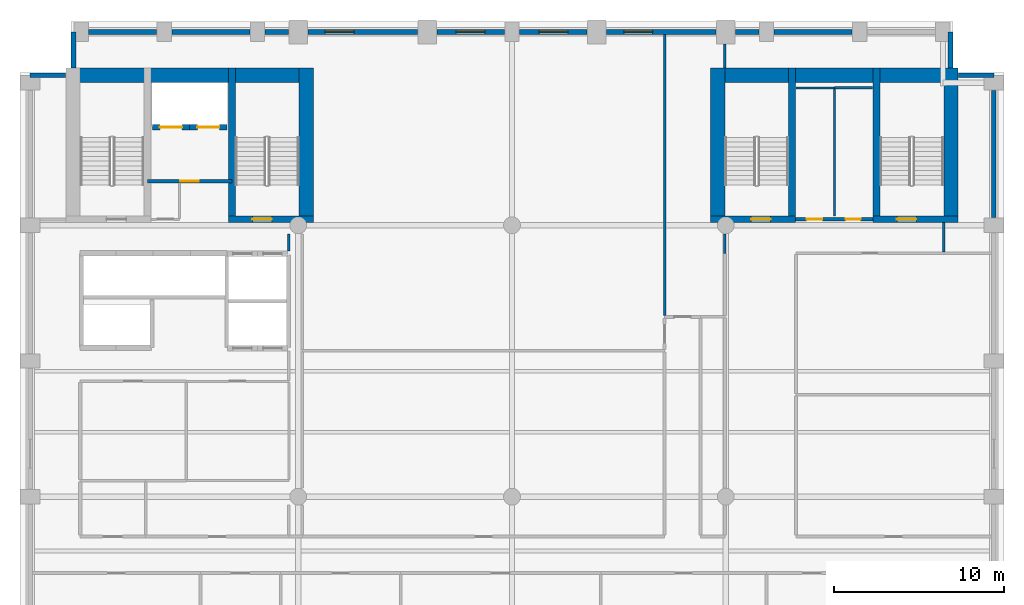
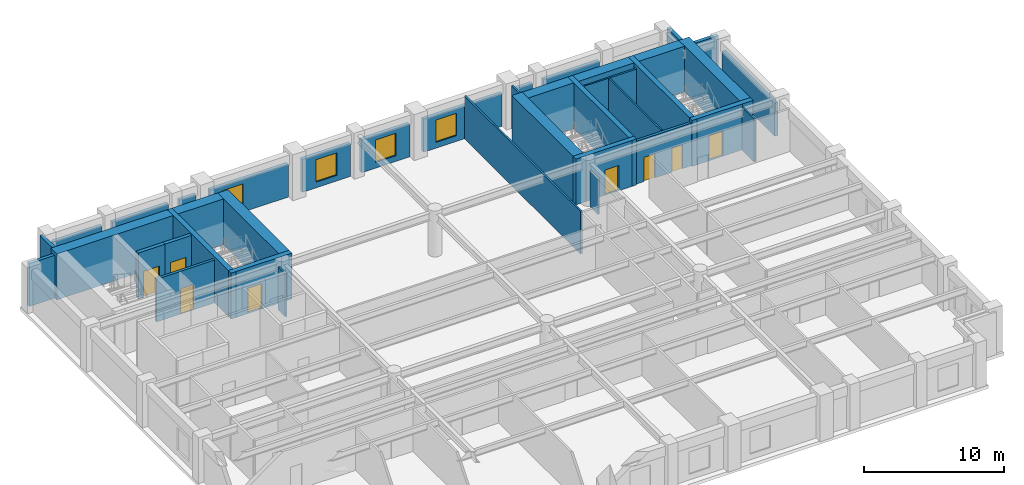
# One storey, part 5 of 9: 37 walls, 8 doors, 4 windows, 12 openings.
"""IFC4 building model written with IfcOpenShell, lengths in metres."""

from ifc_helpers import new_model, si_unit, direction, frame, frame_2d, origin, place, context, subcontext, project, spatial, rectangle, extrude, material, layer, layer_set, type_object, element, fill, save


model = new_model("IFC4")

# Units and contexts
model_context = context("Model", 3, precision=1e-05, world=origin(), true_north=direction((0.0, 1.0)))
body_context = subcontext(model_context, "Body", "Model", "MODEL_VIEW")
ifc_project = project(units=[si_unit("LENGTHUNIT", "METRE"), si_unit("AREAUNIT", "SQUARE_METRE"), si_unit("VOLUMEUNIT", "CUBIC_METRE"), si_unit("PLANEANGLEUNIT", "RADIAN"), si_unit("MASSUNIT", "GRAM", prefix="KILO")], contexts=[model_context])

# Site, building, storey
site_placement = place(None, origin())
site = spatial("IfcSite", under=ifc_project, at=site_placement, CompositionType="ELEMENT")
building_placement = place(site_placement, origin())
building = spatial("IfcBuilding", under=site, at=building_placement, Name="Sulina Concourse Tower", CompositionType="ELEMENT")
storey_placement = place(building_placement, frame((0.0, 0.0, 120.60009765625)))
storey = spatial("IfcBuildingStorey", under=building, at=storey_placement, Name="L29", CompositionType="ELEMENT", Elevation=120.60009765625)

# Wall, opening, door
ifc_material_1 = material(Name="Concrete C50/60", Category="concrete")
ifc_layer_1 = layer(ifc_material_1, 0.300048828125)
ifc_layer_set_1 = layer_set([ifc_layer_1], Name="Concrete C50/60")
wall_type_1 = type_object("IfcWallType", Name="Core Lift Hoistway Wall 300mm", PredefinedType="SOLIDWALL", material=ifc_layer_set_1)
wall_1_placement = place(storey_placement, frame((10.0, 39.780029296875, 0.0), z_axis=(0.0, 0.0, 1.0), x_axis=(-1.0, 0.0, 0.0)))
wall_1 = element("IfcWall", 1, at=wall_1_placement, inside=storey, type_object=wall_type_1, Name="L29 hoistway enclosure wall FFL-1", PredefinedType="SOLIDWALL", context=body_context, shape_type="SweptSolid", body=[
    extrude(rectangle(XDim=2.199951171875, YDim=0.300048828125, at=frame_2d((1.10009765625, 0.0))), origin(), (0.0, 0.0, 1.0), 4.0),
])
opening_1_placement = place(wall_1_placement, frame((0.449951171875, 0.0, 0.0)))
opening_1 = element("IfcOpeningElement", 2, at=opening_1_placement, cuts=wall_1, Name="Opening LD-02", PredefinedType="OPENING", context=body_context, shape_type="SweptSolid", body=[
    extrude(rectangle(XDim=1.300048828125, YDim=2.25, at=frame_2d((0.64990234375, 1.125))), frame((0.0, 0.159912109375, 0.0), z_axis=(0.0, -1.0, 0.0), x_axis=(1.0, 0.0, 0.0)), (0.0, 0.0, 1.0), 0.320068359375),
])
ifc_material_2 = material(Name="Stainless steel lift landing door", Category="steel")
ifc_layer_2 = layer(ifc_material_2, 0.050048828125)
ifc_layer_set_2 = layer_set([ifc_layer_2], Name="Stainless steel lift landing door")
door_type_1 = type_object("IfcDoorType", Name="Firefighting Lift Sliding Landing Door 1300x2250", OperationType="SLIDING_TO_RIGHT", PredefinedType="DOOR", material=ifc_layer_set_2)
door_1_placement = place(opening_1_placement, origin())
door_1 = element("IfcDoor", 3, at=door_1_placement, inside=storey, type_object=door_type_1, Name="L29 lift landing sliding door FFL-1", OperationType="SLIDING_TO_LEFT", OverallHeight=2.25, OverallWidth=1.300048828125, PredefinedType="DOOR", context=body_context, shape_type="SweptSolid", body=[
    extrude(rectangle(XDim=1.300048828125, YDim=2.25, at=frame_2d((0.64990234375, 1.125))), frame((0.0, 0.02490234375, 0.0), z_axis=(0.0, -1.0, 0.0), x_axis=(1.0, 0.0, 0.0)), (0.0, 0.0, 1.0), 0.050048828125),
])
fill(opening_1, door_1)

wall_2_placement = place(storey_placement, frame((12.199951171875, 39.780029296875, 0.0), z_axis=(0.0, 0.0, 1.0), x_axis=(-1.0, 0.0, 0.0)))
wall_2 = element("IfcWall", 4, at=wall_2_placement, inside=storey, type_object=wall_type_1, Name="L29 hoistway enclosure wall FFL-2", PredefinedType="SOLIDWALL", context=body_context, shape_type="SweptSolid", body=[
    extrude(rectangle(XDim=2.199951171875, YDim=0.300048828125, at=frame_2d((1.10009765625, 0.0))), origin(), (0.0, 0.0, 1.0), 4.0),
])
opening_2_placement = place(wall_2_placement, frame((0.449951171875, 0.0, 0.0)))
opening_2 = element("IfcOpeningElement", 5, at=opening_2_placement, cuts=wall_2, Name="Opening LD-02", PredefinedType="OPENING", context=body_context, shape_type="SweptSolid", body=[
    extrude(rectangle(XDim=1.300048828125, YDim=2.25, at=frame_2d((0.64990234375, 1.125))), frame((0.0, 0.159912109375, 0.0), z_axis=(0.0, -1.0, 0.0), x_axis=(1.0, 0.0, 0.0)), (0.0, 0.0, 1.0), 0.320068359375),
])
door_2_placement = place(opening_2_placement, origin())
door_2 = element("IfcDoor", 6, at=door_2_placement, inside=storey, type_object=door_type_1, Name="L29 lift landing sliding door FFL-2", OperationType="SLIDING_TO_RIGHT", OverallHeight=2.25, OverallWidth=1.300048828125, PredefinedType="DOOR", context=body_context, shape_type="SweptSolid", body=[
    extrude(rectangle(XDim=1.300048828125, YDim=2.25, at=frame_2d((0.64990234375, 1.125))), frame((0.0, 0.02490234375, 0.0), z_axis=(0.0, -1.0, 0.0), x_axis=(1.0, 0.0, 0.0)), (0.0, 0.0, 1.0), 0.050048828125),
])
fill(opening_2, door_2)

ifc_material_3 = material(Name="Gypsum board on steel stud", Category="steel")
ifc_layer_3 = layer(ifc_material_3, 0.219970703125)
ifc_layer_set_3 = layer_set([ifc_layer_3], Name="Gypsum board on steel stud")
wall_type_2 = type_object("IfcWallType", Name="Fire-Rated Lobby & Compartment Wall 220mm", PredefinedType="PARTITIONING", material=ifc_layer_set_3)
wall_3_placement = place(storey_placement, frame((7.510009765625, 36.60009765625, 0.0), z_axis=(0.0, 0.0, 1.0), x_axis=(1.0, 0.0, 0.0)))
wall_3 = element("IfcWall", 7, at=wall_3_placement, inside=storey, type_object=wall_type_2, Name="L29 firefighting lobby south fire wall", PredefinedType="PARTITIONING", context=body_context, shape_type="SweptSolid", body=[
    extrude(rectangle(XDim=4.97998046875, YDim=0.219970703125, at=frame_2d((2.489990234375, 0.0))), origin(), (0.0, 0.0, 1.0), 3.724853515625),
])
opening_3_placement = place(wall_3_placement, frame((1.93994140625, 0.0, 0.0)))
opening_3 = element("IfcOpeningElement", 8, at=opening_3_placement, cuts=wall_3, Name="Opening DR-47", PredefinedType="OPENING", context=body_context, shape_type="SweptSolid", body=[
    extrude(rectangle(XDim=1.10009765625, YDim=2.199951171875, at=frame_2d((0.550048828125, 1.10009765625))), frame((0.0, 0.119873046875, 0.0), z_axis=(0.0, -1.0, 0.0), x_axis=(1.0, 0.0, 0.0)), (0.0, 0.0, 1.0), 0.239990234375),
])
ifc_material_4 = material(Name="Galvanised steel acoustic fire leaf", Category="steel")
ifc_layer_4 = layer(ifc_material_4, 0.054931640625)
ifc_layer_set_4 = layer_set([ifc_layer_4], Name="Galvanised steel acoustic fire leaf")
door_type_2 = type_object("IfcDoorType", Name="Firefighting Lobby Fire Door 1100x2200", OperationType="NOTDEFINED", PredefinedType="DOOR", material=ifc_layer_set_4)
door_3_placement = place(opening_3_placement, origin())
door_3 = element("IfcDoor", 9, at=door_3_placement, inside=storey, type_object=door_type_2, Name="L29 firefighting lobby fire door", OperationType="SINGLE_SWING_RIGHT", OverallHeight=2.199951171875, OverallWidth=1.10009765625, PredefinedType="DOOR", context=body_context, shape_type="SweptSolid", body=[
    extrude(rectangle(XDim=1.10009765625, YDim=2.199951171875, at=frame_2d((0.550048828125, 1.10009765625))), frame((0.0, 0.02490234375, 0.0), z_axis=(0.0, -1.0, 0.0), x_axis=(1.0, 0.0, 0.0)), (0.0, 0.0, 1.0), 0.050048828125),
])
fill(opening_3, door_3)

# Wall, openings, doors
wall_4_placement = place(storey_placement, frame((45.719970703125, 34.35009765625, 0.0), z_axis=(0.0, 0.0, 1.0), x_axis=(1.0, 0.0, 0.0)))
wall_4 = element("IfcWall", 10, at=wall_4_placement, inside=storey, type_object=wall_type_2, Name="L29 east core south lobby wall", PredefinedType="PARTITIONING", context=body_context, shape_type="SweptSolid", body=[
    extrude(rectangle(XDim=4.56005859375, YDim=0.219970703125, at=frame_2d((2.280029296875, 0.0))), origin(), (0.0, 0.0, 1.0), 3.724853515625),
])
opening_4_placement = place(wall_4_placement, frame((0.64990234375, 0.0, 0.0)))
opening_4 = element("IfcOpeningElement", 11, at=opening_4_placement, cuts=wall_4, Name="Opening DR-61", PredefinedType="OPENING", context=body_context, shape_type="SweptSolid", body=[
    extrude(rectangle(XDim=0.919921875, YDim=2.10009765625, at=frame_2d((0.4599609375, 1.050048828125))), frame((0.0, 0.119873046875, 0.0), z_axis=(0.0, -1.0, 0.0), x_axis=(1.0, 0.0, 0.0)), (0.0, 0.0, 1.0), 0.239990234375),
])
opening_5_placement = place(wall_4_placement, frame((2.949951171875, 0.0, 0.0)))
opening_5 = element("IfcOpeningElement", 12, at=opening_5_placement, cuts=wall_4, Name="Opening DR-38", PredefinedType="OPENING", context=body_context, shape_type="SweptSolid", body=[
    extrude(rectangle(XDim=0.8798828125, YDim=2.10009765625, at=frame_2d((0.43994140625, 1.050048828125))), frame((0.0, 0.119873046875, 0.0), z_axis=(0.0, -1.0, 0.0), x_axis=(1.0, 0.0, 0.0)), (0.0, 0.0, 1.0), 0.239990234375),
])
ifc_material_5 = material(Name="Oak-veneered fire door leaf")
ifc_layer_5 = layer(ifc_material_5, 0.050048828125)
ifc_layer_set_5 = layer_set([ifc_layer_5], Name="Oak-veneered fire door leaf")
door_type_3 = type_object("IfcDoorType", Name="Accessible WC Door 920x2100", OperationType="NOTDEFINED", PredefinedType="DOOR", material=ifc_layer_set_5)
door_4_placement = place(opening_4_placement, origin())
door_4 = element("IfcDoor", 13, at=door_4_placement, inside=storey, type_object=door_type_3, Name="L29 east core accessible wc door", OperationType="SINGLE_SWING_RIGHT", OverallHeight=2.10009765625, OverallWidth=0.919921875, PredefinedType="DOOR", context=body_context, shape_type="SweptSolid", body=[
    extrude(rectangle(XDim=0.919921875, YDim=2.10009765625, at=frame_2d((0.4599609375, 1.050048828125))), frame((0.0, 0.02490234375, 0.0), z_axis=(0.0, -1.0, 0.0), x_axis=(1.0, 0.0, 0.0)), (0.0, 0.0, 1.0), 0.050048828125),
])
fill(opening_4, door_4)
ifc_material_6 = material(Name="Galvanised steel acoustic fire leaf", Category="steel")
ifc_layer_6 = layer(ifc_material_6, 0.050048828125)
ifc_layer_set_6 = layer_set([ifc_layer_6], Name="Galvanised steel acoustic fire leaf")
door_type_4 = type_object("IfcDoorType", Name="Service Riser Fire Door 880x2100", OperationType="NOTDEFINED", PredefinedType="DOOR", material=ifc_layer_set_6)
door_5_placement = place(opening_5_placement, origin())
door_5 = element("IfcDoor", 14, at=door_5_placement, inside=storey, type_object=door_type_4, Name="L29 east core store door", OperationType="SINGLE_SWING_LEFT", OverallHeight=2.10009765625, OverallWidth=0.8798828125, PredefinedType="DOOR", context=body_context, shape_type="SweptSolid", body=[
    extrude(rectangle(XDim=0.8798828125, YDim=2.10009765625, at=frame_2d((0.43994140625, 1.050048828125))), frame((0.0, 0.02490234375, 0.0), z_axis=(0.0, -1.0, 0.0), x_axis=(1.0, 0.0, 0.0)), (0.0, 0.0, 1.0), 0.050048828125),
])
fill(opening_5, door_5)

# Walls
ifc_material_7 = material(Name="Gypsum board on steel stud", Category="steel")
ifc_layer_7 = layer(ifc_material_7, 0.14990234375)
ifc_layer_set_7 = layer_set([ifc_layer_7], Name="Gypsum board on steel stud")
wall_type_3 = type_object("IfcWallType", Name="Inter-Tenancy Acoustic Partition 150mm", PredefinedType="PARTITIONING", material=ifc_layer_set_7)
wall_5_placement = place(storey_placement, frame((48.0, 42.10009765625, 0.0), z_axis=(0.0, 0.0, 1.0), x_axis=(1.0, 0.0, 0.0)))
element("IfcWall", 15, at=wall_5_placement, inside=storey, type_object=wall_type_3, Name="L29 interior partition 028", PredefinedType="PARTITIONING", context=body_context, shape_type="SweptSolid", body=[
    extrude(rectangle(XDim=2.25, YDim=0.14990234375, at=frame_2d((1.125, 0.0))), origin(), (0.0, 0.0, 1.0), 3.724853515625),
])
wall_6_placement = place(storey_placement, frame((15.85009765625, 32.469970703125, 0.0), z_axis=(0.0, 0.0, 1.0), x_axis=(0.0, 1.0, 0.0)))
element("IfcWall", 16, at=wall_6_placement, inside=storey, type_object=wall_type_3, Name="L29 interior partition 039", PredefinedType="PARTITIONING", context=body_context, shape_type="SweptSolid", body=[
    extrude(rectangle(XDim=1.030029296875, YDim=0.14990234375, at=frame_2d((0.51513671875, 0.0))), origin(), (0.0, 0.0, 1.0), 3.724853515625),
])
wall_7_placement = place(storey_placement, frame((38.0, 28.68994140625, 0.0), z_axis=(0.0, 0.0, 1.0), x_axis=(0.0, 1.0, 0.0)))
element("IfcWall", 17, at=wall_7_placement, inside=storey, type_object=wall_type_3, Name="L29 interior partition 047", PredefinedType="PARTITIONING", context=body_context, shape_type="SweptSolid", body=[
    extrude(rectangle(XDim=16.570068359375, YDim=0.14990234375, at=frame_2d((8.28515625, 0.0))), origin(), (0.0, 0.0, 1.0), 3.724853515625),
])
wall_8_placement = place(storey_placement, frame((41.550048828125, 32.35009765625, 0.0), z_axis=(0.0, 0.0, 1.0), x_axis=(0.0, 1.0, 0.0)))
element("IfcWall", 18, at=wall_8_placement, inside=storey, type_object=wall_type_3, Name="L29 interior partition 052", PredefinedType="PARTITIONING", context=body_context, shape_type="SweptSolid", body=[
    extrude(rectangle(XDim=1.14990234375, YDim=0.14990234375, at=frame_2d((0.574951171875, 0.0))), origin(), (0.0, 0.0, 1.0), 3.06982421875),
])
wall_9_placement = place(storey_placement, frame((41.550048828125, 43.280029296875, 0.0), z_axis=(0.0, 0.0, 1.0), x_axis=(0.0, 1.0, 0.0)))
element("IfcWall", 19, at=wall_9_placement, inside=storey, type_object=wall_type_3, Name="L29 interior partition 053", PredefinedType="PARTITIONING", context=body_context, shape_type="SweptSolid", body=[
    extrude(rectangle(XDim=1.419921875, YDim=0.14990234375, at=frame_2d((0.7099609375, 0.0))), origin(), (0.0, 0.0, 1.0), 3.724853515625),
])
wall_10_placement = place(storey_placement, frame((54.449951171875, 32.425048828125, 0.0), z_axis=(0.0, 0.0, 1.0), x_axis=(0.0, 1.0, 0.0)))
element("IfcWall", 20, at=wall_10_placement, inside=storey, type_object=wall_type_3, Name="L29 interior partition 059", PredefinedType="PARTITIONING", context=body_context, shape_type="SweptSolid", body=[
    extrude(rectangle(XDim=1.724853515625, YDim=0.14990234375, at=frame_2d((0.8623046875, 0.0))), origin(), (0.0, 0.0, 1.0), 3.724853515625),
])

# Wall, opening, door
ifc_material_8 = material(Name="Concrete C60/75", Category="concrete")
ifc_layer_8 = layer(ifc_material_8, 0.39990234375)
ifc_layer_set_8 = layer_set([ifc_layer_8], Name="Concrete C60/75")
wall_type_4 = type_object("IfcWallType", Name="Protected Stair Core Shear Wall 400mm", PredefinedType="SHEAR", material=ifc_layer_set_8)
wall_11_placement = place(storey_placement, frame((12.2900390625, 34.35009765625, 0.0), z_axis=(0.0, 0.0, 1.0), x_axis=(1.0, 0.0, 0.0)))
wall_11 = element("IfcWall", 21, at=wall_11_placement, inside=storey, type_object=wall_type_4, Name="L29 west core shear wall CW-WS2", PredefinedType="SHEAR", context=body_context, shape_type="SweptSolid", body=[
    extrude(rectangle(XDim=5.010009765625, YDim=0.39990234375, at=frame_2d((2.5048828125, 0.0))), origin(), (0.0, 0.0, 1.0), 4.0),
])
opening_6_placement = place(wall_11_placement, frame((1.39990234375, 0.0, 0.0)))
opening_6 = element("IfcOpeningElement", 22, at=opening_6_placement, cuts=wall_11, Name="Opening DR-60", PredefinedType="OPENING", context=body_context, shape_type="SweptSolid", body=[
    extrude(rectangle(XDim=1.14990234375, YDim=2.199951171875, at=frame_2d((0.574951171875, 1.10009765625))), frame((0.0, 0.2099609375, 0.0), z_axis=(0.0, -1.0, 0.0), x_axis=(1.0, 0.0, 0.0)), (0.0, 0.0, 1.0), 0.419921875),
])
ifc_material_9 = material(Name="Galvanised steel acoustic fire leaf", Category="steel")
ifc_layer_9 = layer(ifc_material_9, 0.054931640625)
ifc_layer_set_9 = layer_set([ifc_layer_9], Name="Galvanised steel acoustic fire leaf")
door_type_5 = type_object("IfcDoorType", Name="Protected Exit Stair Fire Door 1150x2200", OperationType="NOTDEFINED", PredefinedType="DOOR", material=ifc_layer_set_9)
door_6_placement = place(opening_6_placement, origin())
door_6 = element("IfcDoor", 23, at=door_6_placement, inside=storey, type_object=door_type_5, Name="L29 stair ST-2 lobby fire door", OperationType="SINGLE_SWING_LEFT", OverallHeight=2.199951171875, OverallWidth=1.14990234375, PredefinedType="DOOR", context=body_context, shape_type="SweptSolid", body=[
    extrude(rectangle(XDim=1.14990234375, YDim=2.199951171875, at=frame_2d((0.574951171875, 1.10009765625))), frame((0.0, 0.02490234375, 0.0), z_axis=(0.0, -1.0, 0.0), x_axis=(1.0, 0.0, 0.0)), (0.0, 0.0, 1.0), 0.050048828125),
])
fill(opening_6, door_6)

# Wall
wall_12_placement = place(storey_placement, frame((12.489990234375, 34.14990234375, 0.0), z_axis=(0.0, 0.0, 1.0), x_axis=(0.0, 1.0, 0.0)))
element("IfcWall", 24, at=wall_12_placement, inside=storey, type_object=wall_type_4, Name="L29 west core shear wall SW-ST2", PredefinedType="SHEAR", context=body_context, shape_type="SweptSolid", body=[
    extrude(rectangle(XDim=9.130126953125, YDim=0.39990234375, at=frame_2d((4.56494140625, 0.0))), origin(), (0.0, 0.0, 1.0), 4.0),
])

# Wall, opening, door
wall_13_placement = place(storey_placement, frame((40.699951171875, 34.35009765625, 0.0), z_axis=(0.0, 0.0, 1.0), x_axis=(1.0, 0.0, 0.0)))
wall_13 = element("IfcWall", 25, at=wall_13_placement, inside=storey, type_object=wall_type_4, Name="L29 east core shear wall CW-ES1", PredefinedType="SHEAR", context=body_context, shape_type="SweptSolid", body=[
    extrude(rectangle(XDim=5.010009765625, YDim=0.39990234375, at=frame_2d((2.5048828125, 0.0))), origin(), (0.0, 0.0, 1.0), 4.0),
])
opening_7_placement = place(wall_13_placement, frame((2.39990234375, 0.0, 0.0)))
opening_7 = element("IfcOpeningElement", 26, at=opening_7_placement, cuts=wall_13, Name="Opening DR-60", PredefinedType="OPENING", context=body_context, shape_type="SweptSolid", body=[
    extrude(rectangle(XDim=1.14990234375, YDim=2.199951171875, at=frame_2d((0.574951171875, 1.10009765625))), frame((0.0, 0.2099609375, 0.0), z_axis=(0.0, -1.0, 0.0), x_axis=(1.0, 0.0, 0.0)), (0.0, 0.0, 1.0), 0.419921875),
])
door_7_placement = place(opening_7_placement, origin())
door_7 = element("IfcDoor", 27, at=door_7_placement, inside=storey, type_object=door_type_5, Name="L29 stair ST-3 south lobby fire door", OperationType="SINGLE_SWING_LEFT", OverallHeight=2.199951171875, OverallWidth=1.14990234375, PredefinedType="DOOR", context=body_context, shape_type="SweptSolid", body=[
    extrude(rectangle(XDim=1.14990234375, YDim=2.199951171875, at=frame_2d((0.574951171875, 1.10009765625))), frame((0.0, 0.02490234375, 0.0), z_axis=(0.0, -1.0, 0.0), x_axis=(1.0, 0.0, 0.0)), (0.0, 0.0, 1.0), 0.050048828125),
])
fill(opening_7, door_7)

# Wall
wall_14_placement = place(storey_placement, frame((45.510009765625, 34.14990234375, 0.0), z_axis=(0.0, 0.0, 1.0), x_axis=(0.0, 1.0, 0.0)))
element("IfcWall", 28, at=wall_14_placement, inside=storey, type_object=wall_type_4, Name="L29 east core shear wall SW-ST3", PredefinedType="SHEAR", context=body_context, shape_type="SweptSolid", body=[
    extrude(rectangle(XDim=9.130126953125, YDim=0.39990234375, at=frame_2d((4.56494140625, 0.0))), origin(), (0.0, 0.0, 1.0), 4.0),
])

# Wall, opening, door
wall_15_placement = place(storey_placement, frame((50.2900390625, 34.35009765625, 0.0), z_axis=(0.0, 0.0, 1.0), x_axis=(1.0, 0.0, 0.0)))
wall_15 = element("IfcWall", 29, at=wall_15_placement, inside=storey, type_object=wall_type_4, Name="L29 east core shear wall CW-ES2", PredefinedType="SHEAR", context=body_context, shape_type="SweptSolid", body=[
    extrude(rectangle(XDim=5.010009765625, YDim=0.39990234375, at=frame_2d((2.5048828125, 0.0))), origin(), (0.0, 0.0, 1.0), 4.0),
])
opening_8_placement = place(wall_15_placement, frame((1.39990234375, 0.0, 0.0)))
opening_8 = element("IfcOpeningElement", 30, at=opening_8_placement, cuts=wall_15, Name="Opening DR-60", PredefinedType="OPENING", context=body_context, shape_type="SweptSolid", body=[
    extrude(rectangle(XDim=1.14990234375, YDim=2.199951171875, at=frame_2d((0.574951171875, 1.10009765625))), frame((0.0, 0.2099609375, 0.0), z_axis=(0.0, -1.0, 0.0), x_axis=(1.0, 0.0, 0.0)), (0.0, 0.0, 1.0), 0.419921875),
])
door_8_placement = place(opening_8_placement, origin())
door_8 = element("IfcDoor", 31, at=door_8_placement, inside=storey, type_object=door_type_5, Name="L29 stair ST-4 south lobby fire door", OperationType="SINGLE_SWING_RIGHT", OverallHeight=2.199951171875, OverallWidth=1.14990234375, PredefinedType="DOOR", context=body_context, shape_type="SweptSolid", body=[
    extrude(rectangle(XDim=1.14990234375, YDim=2.199951171875, at=frame_2d((0.574951171875, 1.10009765625))), frame((0.0, 0.02490234375, 0.0), z_axis=(0.0, -1.0, 0.0), x_axis=(1.0, 0.0, 0.0)), (0.0, 0.0, 1.0), 0.050048828125),
])
fill(opening_8, door_8)

# Walls
wall_16_placement = place(storey_placement, frame((50.489990234375, 34.14990234375, 0.0), z_axis=(0.0, 0.0, 1.0), x_axis=(0.0, 1.0, 0.0)))
element("IfcWall", 32, at=wall_16_placement, inside=storey, type_object=wall_type_4, Name="L29 east core shear wall SW-ST4", PredefinedType="SHEAR", context=body_context, shape_type="SweptSolid", body=[
    extrude(rectangle(XDim=9.130126953125, YDim=0.39990234375, at=frame_2d((4.56494140625, 0.0))), origin(), (0.0, 0.0, 1.0), 4.0),
])
ifc_material_10 = material(Name="Concrete C60/75", Category="concrete")
ifc_layer_10 = layer(ifc_material_10, 0.85009765625)
ifc_layer_set_10 = layer_set([ifc_layer_10], Name="Concrete C60/75")
wall_type_5 = type_object("IfcWallType", Name="Rear Core Shear Wall 850mm", PredefinedType="SHEAR", material=ifc_layer_set_10)
wall_17_placement = place(storey_placement, frame((2.699951171875, 42.85498046875, 0.0), z_axis=(0.0, 0.0, 1.0), x_axis=(1.0, 0.0, 0.0)))
element("IfcWall", 33, at=wall_17_placement, inside=storey, type_object=wall_type_5, Name="L29 west core shear wall CW-WN", PredefinedType="SHEAR", context=body_context, shape_type="SweptSolid", body=[
    extrude(rectangle(XDim=14.60009765625, YDim=0.85009765625, at=frame_2d((7.300048828125, 0.0))), origin(), (0.0, 0.0, 1.0), 4.0),
])
wall_18_placement = place(storey_placement, frame((16.875, 34.14990234375, 0.0), z_axis=(0.0, 0.0, 1.0), x_axis=(0.0, 1.0, 0.0)))
element("IfcWall", 34, at=wall_18_placement, inside=storey, type_object=wall_type_5, Name="L29 west core shear wall CW-WE", PredefinedType="SHEAR", context=body_context, shape_type="SweptSolid", body=[
    extrude(rectangle(XDim=9.130126953125, YDim=0.85009765625, at=frame_2d((4.56494140625, 0.0))), origin(), (0.0, 0.0, 1.0), 4.0),
])
wall_19_placement = place(storey_placement, frame((40.699951171875, 42.85498046875, 0.0), z_axis=(0.0, 0.0, 1.0), x_axis=(1.0, 0.0, 0.0)))
element("IfcWall", 35, at=wall_19_placement, inside=storey, type_object=wall_type_5, Name="L29 east core shear wall CW-EN", PredefinedType="SHEAR", context=body_context, shape_type="SweptSolid", body=[
    extrude(rectangle(XDim=14.60009765625, YDim=0.85009765625, at=frame_2d((7.300048828125, 0.0))), origin(), (0.0, 0.0, 1.0), 4.0),
])
for number, where, z_axis, x_axis, name in (
    (36, (41.125, 34.14990234375, 0.0), (0.0, 0.0, 1.0), (0.0, 1.0, 0.0), "L29 east core shear wall CW-EW"),
    (37, (54.875, 34.14990234375, 0.0), (0.0, 0.0, 1.0), (0.0, 1.0, 0.0), "L29 east core shear wall CW-EE"),
):
    element("IfcWall", number, at=place(storey_placement, frame(where, z_axis=z_axis, x_axis=x_axis)), inside=storey, type_object=wall_type_5, Name=name, PredefinedType="SHEAR", context=body_context, shape_type="SweptSolid", body=[
        extrude(rectangle(XDim=9.130126953125, YDim=0.85009765625, at=frame_2d((4.56494140625, 0.0))), origin(), (0.0, 0.0, 1.0), 4.0),
    ])
ifc_material_11 = material(Name="Precast concrete C50/60", Category="concrete")
ifc_layer_11 = layer(ifc_material_11, 0.280029296875)
ifc_layer_set_11 = layer_set([ifc_layer_11], Name="Precast concrete C50/60")
wall_type_6 = type_object("IfcWallType", Name="Typical Precast Masonry-Frame Facade Wall 280mm", PredefinedType="SOLIDWALL", material=ifc_layer_set_11)
wall_20_placement = place(storey_placement, frame((4.044921875, 45.39990234375, 0.0), z_axis=(0.0, 0.0, 1.0), x_axis=(1.0, 0.0, 0.0)))
element("IfcWall", 38, at=wall_20_placement, inside=storey, type_object=wall_type_6, Name="L29 exterior precast wall N1", PredefinedType="SOLIDWALL", context=body_context, shape_type="SweptSolid", body=[
    extrude(rectangle(XDim=4.010009765625, YDim=0.280029296875, at=frame_2d((2.0048828125, 0.0))), origin(), (0.0, 0.0, 1.0), 2.875),
])
wall_21_placement = place(storey_placement, frame((8.945068359375, 45.39990234375, 0.0), z_axis=(0.0, 0.0, 1.0), x_axis=(1.0, 0.0, 0.0)))
element("IfcWall", 39, at=wall_21_placement, inside=storey, type_object=wall_type_6, Name="L29 exterior precast wall N2", PredefinedType="SOLIDWALL", context=body_context, shape_type="SweptSolid", body=[
    extrude(rectangle(XDim=4.60986328125, YDim=0.280029296875, at=frame_2d((2.304931640625, 0.0))), origin(), (0.0, 0.0, 1.0), 2.875),
])
wall_22_placement = place(storey_placement, frame((14.445068359375, 45.39990234375, 0.0), z_axis=(0.0, 0.0, 1.0), x_axis=(1.0, 0.0, 0.0)))
element("IfcWall", 40, at=wall_22_placement, inside=storey, type_object=wall_type_6, Name="L29 exterior precast wall N3", PredefinedType="SOLIDWALL", context=body_context, shape_type="SweptSolid", body=[
    extrude(rectangle(XDim=1.385009765625, YDim=0.280029296875, at=frame_2d((0.6923828125, 0.0))), origin(), (0.0, 0.0, 1.0), 2.875),
])

# Wall, opening, window
wall_23_placement = place(storey_placement, frame((16.969970703125, 45.39990234375, 0.0), z_axis=(0.0, 0.0, 1.0), x_axis=(1.0, 0.0, 0.0)))
wall_23 = element("IfcWall", 41, at=wall_23_placement, inside=storey, type_object=wall_type_6, Name="L29 exterior precast wall N4", PredefinedType="SOLIDWALL", context=body_context, shape_type="SweptSolid", body=[
    extrude(rectangle(XDim=6.4599609375, YDim=0.280029296875, at=frame_2d((3.22998046875, 0.0))), origin(), (0.0, 0.0, 1.0), 2.875),
])
opening_9_placement = place(wall_23_placement, frame((1.02001953125, 0.0, 0.5)))
opening_9 = element("IfcOpeningElement", 42, at=opening_9_placement, cuts=wall_23, Name="Opening WN-66", PredefinedType="OPENING", context=body_context, shape_type="SweptSolid", body=[
    extrude(rectangle(XDim=1.699951171875, YDim=1.949951171875, at=frame_2d((0.85009765625, 0.97509765625))), frame((0.0, 0.14990234375, 0.0), z_axis=(0.0, -1.0, 0.0), x_axis=(1.0, 0.0, 0.0)), (0.0, 0.0, 1.0), 0.300048828125),
])
ifc_material_12 = material(Name="Low-E solar double glazing in bronze aluminium", Category="aluminium")
window_type = type_object("IfcWindowType", Name="Recessed Spandrel Window 1700x1950", PartitioningType="SINGLE_PANEL", PredefinedType="WINDOW", material=ifc_material_12)
window_1_placement = place(opening_9_placement, origin())
window_1 = element("IfcWindow", 43, at=window_1_placement, inside=storey, type_object=window_type, Name="L29 punched window N4-1", OverallHeight=1.949951171875, OverallWidth=1.699951171875, PartitioningType="SINGLE_PANEL", PredefinedType="WINDOW", context=body_context, shape_type="SweptSolid", body=[
    extrude(rectangle(XDim=1.699951171875, YDim=1.949951171875, at=frame_2d((0.85009765625, 0.97509765625))), frame((0.0, 0.030029296875, 0.0), z_axis=(0.0, -1.0, 0.0), x_axis=(1.0, 0.0, 0.0)), (0.0, 0.0, 1.0), 0.06005859375),
])
fill(opening_9, window_1)

wall_24_placement = place(storey_placement, frame((24.570068359375, 45.39990234375, 0.0), z_axis=(0.0, 0.0, 1.0), x_axis=(1.0, 0.0, 0.0)))
wall_24 = element("IfcWall", 44, at=wall_24_placement, inside=storey, type_object=wall_type_6, Name="L29 exterior precast wall N5", PredefinedType="SOLIDWALL", context=body_context, shape_type="SweptSolid", body=[
    extrude(rectangle(XDim=3.98486328125, YDim=0.280029296875, at=frame_2d((1.992431640625, 0.0))), origin(), (0.0, 0.0, 1.0), 2.875),
])
opening_10_placement = place(wall_24_placement, frame((1.142578125, 0.0, 0.5)))
opening_10 = element("IfcOpeningElement", 45, at=opening_10_placement, cuts=wall_24, Name="Opening WN-66", PredefinedType="OPENING", context=body_context, shape_type="SweptSolid", body=[
    extrude(rectangle(XDim=1.699951171875, YDim=1.949951171875, at=frame_2d((0.85009765625, 0.97509765625))), frame((0.0, 0.14990234375, 0.0), z_axis=(0.0, -1.0, 0.0), x_axis=(1.0, 0.0, 0.0)), (0.0, 0.0, 1.0), 0.300048828125),
])
window_2_placement = place(opening_10_placement, origin())
window_2 = element("IfcWindow", 46, at=window_2_placement, inside=storey, type_object=window_type, Name="L29 punched window N5-1", OverallHeight=1.949951171875, OverallWidth=1.699951171875, PartitioningType="SINGLE_PANEL", PredefinedType="WINDOW", context=body_context, shape_type="SweptSolid", body=[
    extrude(rectangle(XDim=1.699951171875, YDim=1.949951171875, at=frame_2d((0.85009765625, 0.97509765625))), frame((0.0, 0.030029296875, 0.0), z_axis=(0.0, -1.0, 0.0), x_axis=(1.0, 0.0, 0.0)), (0.0, 0.0, 1.0), 0.06005859375),
])
fill(opening_10, window_2)

wall_25_placement = place(storey_placement, frame((29.445068359375, 45.39990234375, 0.0), z_axis=(0.0, 0.0, 1.0), x_axis=(1.0, 0.0, 0.0)))
wall_25 = element("IfcWall", 47, at=wall_25_placement, inside=storey, type_object=wall_type_6, Name="L29 exterior precast wall N6", PredefinedType="SOLIDWALL", context=body_context, shape_type="SweptSolid", body=[
    extrude(rectangle(XDim=3.98486328125, YDim=0.280029296875, at=frame_2d((1.992431640625, 0.0))), origin(), (0.0, 0.0, 1.0), 2.875),
])
opening_11_placement = place(wall_25_placement, frame((1.142578125, 0.0, 0.5)))
opening_11 = element("IfcOpeningElement", 48, at=opening_11_placement, cuts=wall_25, Name="Opening WN-66", PredefinedType="OPENING", context=body_context, shape_type="SweptSolid", body=[
    extrude(rectangle(XDim=1.699951171875, YDim=1.949951171875, at=frame_2d((0.85009765625, 0.97509765625))), frame((0.0, 0.14990234375, 0.0), z_axis=(0.0, -1.0, 0.0), x_axis=(1.0, 0.0, 0.0)), (0.0, 0.0, 1.0), 0.300048828125),
])
window_3_placement = place(opening_11_placement, origin())
window_3 = element("IfcWindow", 49, at=window_3_placement, inside=storey, type_object=window_type, Name="L29 punched window N6-1", OverallHeight=1.949951171875, OverallWidth=1.699951171875, PartitioningType="SINGLE_PANEL", PredefinedType="WINDOW", context=body_context, shape_type="SweptSolid", body=[
    extrude(rectangle(XDim=1.699951171875, YDim=1.949951171875, at=frame_2d((0.85009765625, 0.97509765625))), frame((0.0, 0.030029296875, 0.0), z_axis=(0.0, -1.0, 0.0), x_axis=(1.0, 0.0, 0.0)), (0.0, 0.0, 1.0), 0.06005859375),
])
fill(opening_11, window_3)

wall_26_placement = place(storey_placement, frame((34.570068359375, 45.39990234375, 0.0), z_axis=(0.0, 0.0, 1.0), x_axis=(1.0, 0.0, 0.0)))
wall_26 = element("IfcWall", 50, at=wall_26_placement, inside=storey, type_object=wall_type_6, Name="L29 exterior precast wall N7", PredefinedType="SOLIDWALL", context=body_context, shape_type="SweptSolid", body=[
    extrude(rectangle(XDim=6.4599609375, YDim=0.280029296875, at=frame_2d((3.22998046875, 0.0))), origin(), (0.0, 0.0, 1.0), 2.875),
])
opening_12_placement = place(wall_26_placement, frame((1.02001953125, 0.0, 0.5)))
opening_12 = element("IfcOpeningElement", 51, at=opening_12_placement, cuts=wall_26, Name="Opening WN-66", PredefinedType="OPENING", context=body_context, shape_type="SweptSolid", body=[
    extrude(rectangle(XDim=1.699951171875, YDim=1.949951171875, at=frame_2d((0.85009765625, 0.97509765625))), frame((0.0, 0.14990234375, 0.0), z_axis=(0.0, -1.0, 0.0), x_axis=(1.0, 0.0, 0.0)), (0.0, 0.0, 1.0), 0.300048828125),
])
window_4_placement = place(opening_12_placement, origin())
window_4 = element("IfcWindow", 52, at=window_4_placement, inside=storey, type_object=window_type, Name="L29 punched window N7-1", OverallHeight=1.949951171875, OverallWidth=1.699951171875, PartitioningType="SINGLE_PANEL", PredefinedType="WINDOW", context=body_context, shape_type="SweptSolid", body=[
    extrude(rectangle(XDim=1.699951171875, YDim=1.949951171875, at=frame_2d((0.85009765625, 0.97509765625))), frame((0.0, 0.030029296875, 0.0), z_axis=(0.0, -1.0, 0.0), x_axis=(1.0, 0.0, 0.0)), (0.0, 0.0, 1.0), 0.06005859375),
])
fill(opening_12, window_4)

# Walls
wall_27_placement = place(storey_placement, frame((42.169921875, 45.39990234375, 0.0), z_axis=(0.0, 0.0, 1.0), x_axis=(1.0, 0.0, 0.0)))
element("IfcWall", 53, at=wall_27_placement, inside=storey, type_object=wall_type_6, Name="L29 exterior precast wall N8", PredefinedType="SOLIDWALL", context=body_context, shape_type="SweptSolid", body=[
    extrude(rectangle(XDim=1.385009765625, YDim=0.280029296875, at=frame_2d((0.6923828125, 0.0))), origin(), (0.0, 0.0, 1.0), 2.875),
])
wall_28_placement = place(storey_placement, frame((44.445068359375, 45.39990234375, 0.0), z_axis=(0.0, 0.0, 1.0), x_axis=(1.0, 0.0, 0.0)))
element("IfcWall", 54, at=wall_28_placement, inside=storey, type_object=wall_type_6, Name="L29 exterior precast wall N9", PredefinedType="SOLIDWALL", context=body_context, shape_type="SweptSolid", body=[
    extrude(rectangle(XDim=4.60986328125, YDim=0.280029296875, at=frame_2d((2.304931640625, 0.0))), origin(), (0.0, 0.0, 1.0), 2.875),
])
wall_29_placement = place(storey_placement, frame((57.39990234375, 41.955078125, 0.0), z_axis=(0.0, 0.0, 1.0), x_axis=(0.0, -1.0, 0.0)))
element("IfcWall", 55, at=wall_29_placement, inside=storey, type_object=wall_type_6, Name="L29 exterior precast wall E5", PredefinedType="SOLIDWALL", context=body_context, shape_type="SweptSolid", body=[
    extrude(rectangle(XDim=7.510009765625, YDim=0.280029296875, at=frame_2d((3.7548828125, 0.0))), origin(), (0.0, 0.0, 1.0), 2.875),
])
wall_30_placement = place(storey_placement, frame((0.60009765625, 42.844970703125, 0.0), z_axis=(0.0, 0.0, 1.0), x_axis=(1.0, 0.0, 0.0)))
element("IfcWall", 56, at=wall_30_placement, inside=storey, type_object=wall_type_6, Name="L29 exterior precast wall CNW1", PredefinedType="SOLIDWALL", context=body_context, shape_type="SweptSolid", body=[
    extrude(rectangle(XDim=2.094970703125, YDim=0.280029296875, at=frame_2d((1.04736328125, 0.0))), origin(), (0.0, 0.0, 1.0), 3.724853515625),
])
for number, where, z_axis, x_axis, name in (
    (57, (3.155029296875, 43.284912109375, 0.0), (0.0, 0.0, 1.0), (0.0, 1.0, 0.0), "L29 exterior precast wall CNW2"),
    (58, (54.844970703125, 45.39990234375, 0.0), (0.0, 0.0, 1.0), (0.0, -1.0, 0.0), "L29 exterior precast wall CNE1"),
):
    element("IfcWall", number, at=place(storey_placement, frame(where, z_axis=z_axis, x_axis=x_axis)), inside=storey, type_object=wall_type_6, Name=name, PredefinedType="SOLIDWALL", context=body_context, shape_type="SweptSolid", body=[
        extrude(rectangle(XDim=2.114990234375, YDim=0.280029296875, at=frame_2d((1.0576171875, 0.0))), origin(), (0.0, 0.0, 1.0), 3.724853515625),
    ])
wall_31_placement = place(storey_placement, frame((55.304931640625, 42.844970703125, 0.0), z_axis=(0.0, 0.0, 1.0), x_axis=(1.0, 0.0, 0.0)))
element("IfcWall", 59, at=wall_31_placement, inside=storey, type_object=wall_type_6, Name="L29 exterior precast wall CNE2", PredefinedType="SOLIDWALL", context=body_context, shape_type="SweptSolid", body=[
    extrude(rectangle(XDim=2.094970703125, YDim=0.280029296875, at=frame_2d((1.04736328125, 0.0))), origin(), (0.0, 0.0, 1.0), 3.724853515625),
])
ifc_material_13 = material(Name="Gypsum board on steel stud", Category="steel")
ifc_layer_12 = layer(ifc_material_13, 0.125)
ifc_layer_set_12 = layer_set([ifc_layer_12], Name="Gypsum board on steel stud")
wall_type_7 = type_object("IfcWallType", Name="Wet-Area Moisture-Resistant Partition 125mm", PredefinedType="PARTITIONING", material=ifc_layer_set_12)
wall_32_placement = place(storey_placement, frame((45.75, 42.10009765625, 0.0), z_axis=(0.0, 0.0, 1.0), x_axis=(1.0, 0.0, 0.0)))
element("IfcWall", 60, at=wall_32_placement, inside=storey, type_object=wall_type_7, Name="L29 interior partition 027", PredefinedType="PARTITIONING", context=body_context, shape_type="SweptSolid", body=[
    extrude(rectangle(XDim=2.25, YDim=0.125, at=frame_2d((1.125, 0.0))), origin(), (0.0, 0.0, 1.0), 3.724853515625),
])
wall_33_placement = place(storey_placement, frame((48.0, 34.550048828125, 0.0), z_axis=(0.0, 0.0, 1.0), x_axis=(0.0, 1.0, 0.0)))
element("IfcWall", 61, at=wall_33_placement, inside=storey, type_object=wall_type_7, Name="L29 interior partition 057", PredefinedType="PARTITIONING", context=body_context, shape_type="SweptSolid", body=[
    extrude(rectangle(XDim=7.474853515625, YDim=0.125, at=frame_2d((3.7373046875, 0.0))), origin(), (0.0, 0.0, 1.0), 3.724853515625),
])

save(model, "model.ifc")
